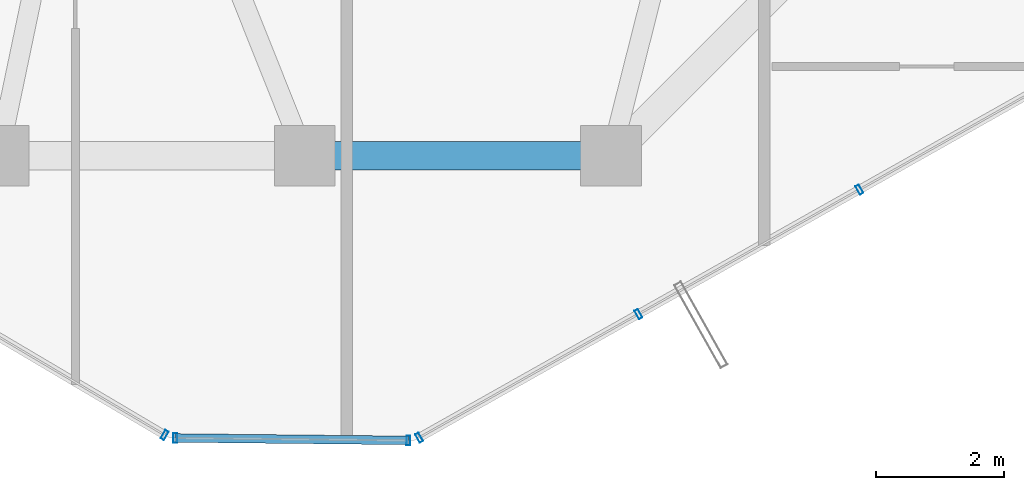
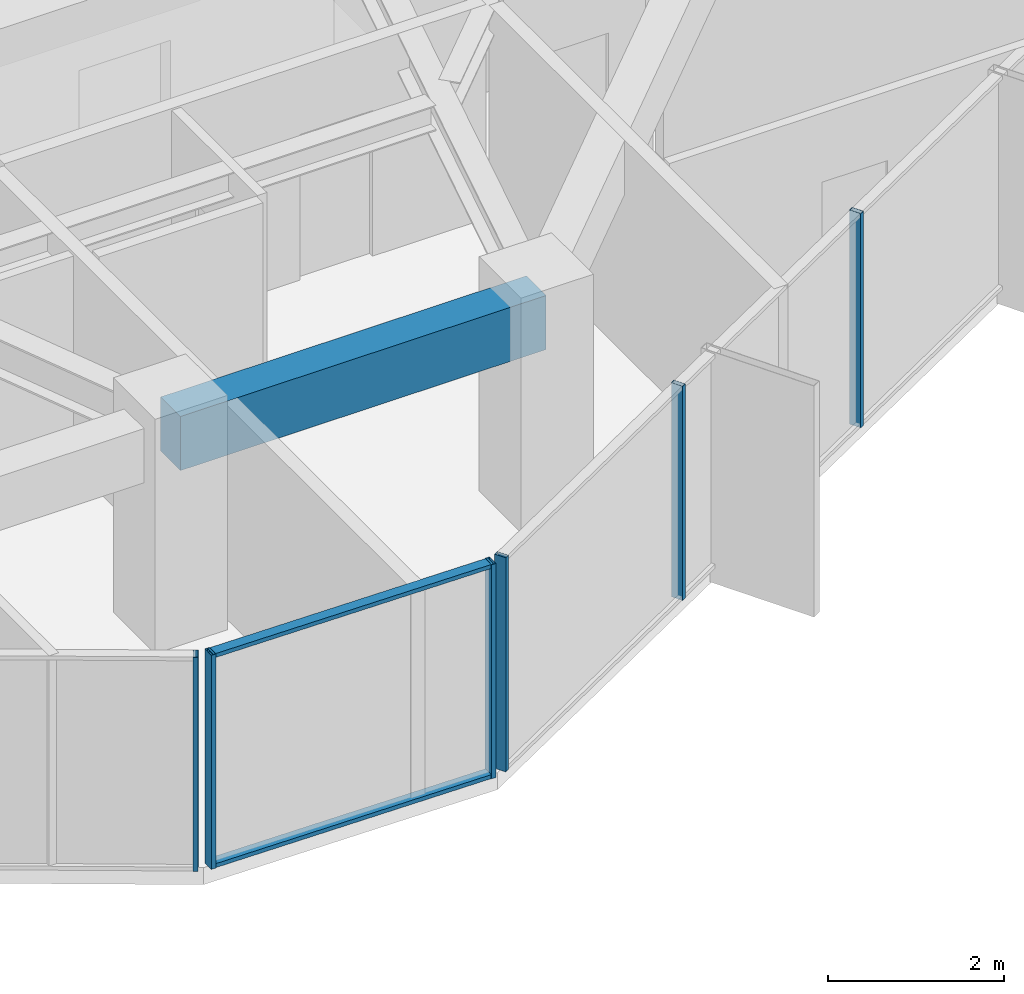
# One storey, part 6 of 30: 8 members, 1 beam, 3 elements without a shape of their own.
"""IFC4 building model written with IfcOpenShell, lengths in metres."""

from ifc_helpers import new_model, si_unit, direction, frame, origin, origin_2d, place, context, subcontext, project, spatial, rectangle, hollow_rectangle, extrude, source, transform, mapped, material, layer, layer_set, material_profile, profile_set, type_object, element, aggregate, save


model = new_model("IFC4")

# Units and contexts
model_context = context("Model", 3, precision=1e-05, world=origin(), true_north=direction((0.0, 1.0)))
body_context = subcontext(model_context, "Body", "Model", "MODEL_VIEW")
ifc_project = project(units=[si_unit("LENGTHUNIT", "METRE"), si_unit("AREAUNIT", "SQUARE_METRE"), si_unit("VOLUMEUNIT", "CUBIC_METRE"), si_unit("PLANEANGLEUNIT", "RADIAN"), si_unit("MASSUNIT", "GRAM", prefix="KILO")], contexts=[model_context])

# Site, building, storey
site_placement = place(None, origin())
site = spatial("IfcSite", under=ifc_project, at=site_placement, CompositionType="ELEMENT")
building_placement = place(site_placement, origin())
building = spatial("IfcBuilding", under=site, at=building_placement, Name="Veraguas Prism Commons", CompositionType="ELEMENT")
storey_placement = place(building_placement, frame((0.0, 0.0, 208.10009765625)))
storey = spatial("IfcBuildingStorey", under=building, at=storey_placement, Name="L59", CompositionType="ELEMENT", Elevation=208.10009765625)

# Beam
ifc_material_1 = material(Name="Concrete C50/60", Category="concrete")
ifc_material_profile_1 = material_profile(ifc_material_1, rectangle(XDim=0.449951171875, YDim=0.75, at=origin_2d()), Name="RC450X750")
ifc_profile_set_1 = profile_set([ifc_material_profile_1], Name="Concrete C50/60")
beam_type = type_object("IfcBeamType", Name="Perimeter Spandrel Upper RC 450x750", PredefinedType="SPANDREL", material=ifc_profile_set_1)
beam_placement = place(storey_placement, frame((24.0, 9.10009765625, 2.594970703125), z_axis=(1.0, 0.0, 0.0), x_axis=(0.0, 1.0, 0.0)))
element("IfcBeam", 1, at=beam_placement, inside=storey, type_object=beam_type, Name="Perimeter Spandrel Beam L59-SP11", PredefinedType="SPANDREL", context=body_context, shape_type="SweptSolid", body=[
    extrude(rectangle(XDim=0.449951171875, YDim=0.75, at=origin_2d()), origin(), (0.0, 0.0, 1.0), 4.800048828125),
])

# Curtain wall, members
ifc_material_2 = material(Name="Anodised aluminium EN AW-6063 T6", Category="aluminium")
ifc_layer = layer(ifc_material_2, 0.14990234375, Name="Unitised Flush Curtain Wall Zone 3", Category="aluminium")
ifc_layer_set = layer_set([ifc_layer], Name="Anodised aluminium EN AW-6063 T6")
curtain_wall_type = type_object("IfcCurtainWallType", Name="Unitised Flush Curtain Wall Zone 3", PredefinedType="NOTDEFINED", material=ifc_layer_set)
curtain_wall_1_placement = place(storey_placement, origin())
curtain_wall_1 = element("IfcCurtainWall", 2, at=curtain_wall_1_placement, inside=storey, type_object=curtain_wall_type, Name="Chamfer Curtain Wall L59-C5", PredefinedType="NOTDEFINED")
ifc_material_profile_2 = material_profile(ifc_material_2, hollow_rectangle(XDim=0.054931640625, YDim=0.135009765625, WallThickness=0.0029296875, at=origin_2d()), Name="AL55X135X3")
ifc_profile_set_2 = profile_set([ifc_material_profile_2], Name="Anodised aluminium EN AW-6063 T6")
member_type_1 = type_object("IfcMemberType", Name="Curtain Wall Transom Standard AL 55x135x3", PredefinedType="USERDEFINED", material=ifc_profile_set_2)
shared_shape_1 = source(origin(), body_context, "Body", "SweptSolid", [
    extrude(hollow_rectangle(XDim=0.054931640625, YDim=0.135009765625, WallThickness=0.0029296875, at=origin_2d()), origin(), (0.0, 0.0, 1.0), 3.654296875),
])
member_1_placement = place(storey_placement, frame((21.970458984375, 4.677001953125, 0.02734375), z_axis=(0.999945685686, -0.010422364333, 0.0), x_axis=(0.0, 0.0, 1.0)))
member_1 = element("IfcMember", 3, at=member_1_placement, type_object=member_type_1, Name="CW-Z3 Transom 1", ObjectType="TRANSOM", PredefinedType="USERDEFINED", context=body_context, shape_type="MappedRepresentation", body=[
    mapped(shared_shape_1, transform((0.0, 0.0, 0.0), scale=1.0)),
])
member_2_placement = place(storey_placement, frame((21.970458984375, 4.677001953125, 2.9423828125), z_axis=(0.999945685686, -0.010422364333, 0.0), x_axis=(0.0, 0.0, 1.0)))
member_2 = element("IfcMember", 4, at=member_2_placement, type_object=member_type_1, Name="CW-Z3 Transom 2", ObjectType="TRANSOM", PredefinedType="USERDEFINED", context=body_context, shape_type="MappedRepresentation", body=[
    mapped(shared_shape_1, transform((0.0, 0.0, 0.0), scale=1.0)),
])

# Curtain wall, member
curtain_wall_2_placement = place(storey_placement, origin())
curtain_wall_2 = element("IfcCurtainWall", 5, at=curtain_wall_2_placement, inside=storey, type_object=curtain_wall_type, Name="Tower Facade Curtain Wall L59-F4", PredefinedType="NOTDEFINED")
ifc_material_profile_3 = material_profile(ifc_material_2, hollow_rectangle(XDim=0.06005859375, YDim=0.14990234375, WallThickness=0.0029296875, at=origin_2d()), Name="AL60X150X3")
ifc_profile_set_3 = profile_set([ifc_material_profile_3], Name="Anodised aluminium EN AW-6063 T6")
member_type_2 = type_object("IfcMemberType", Name="Curtain Wall Mullion Upper AL 60x150x3", PredefinedType="MULLION", material=ifc_profile_set_3)
shared_shape_2 = source(origin(), body_context, "Body", "SweptSolid", [
    extrude(hollow_rectangle(XDim=0.06005859375, YDim=0.14990234375, WallThickness=0.0029296875, at=origin_2d()), origin(), (0.0, 0.0, 1.0), 2.969970703125),
])
member_3_placement = place(storey_placement, frame((21.802978515625, 4.723876953125, 0.0), z_axis=(0.0, 0.0, 1.0), x_axis=(0.860741138558, -0.509042918028, 0.0)))
member_3 = element("IfcMember", 6, at=member_3_placement, type_object=member_type_2, Name="CW-Z3 Mullion 5", PredefinedType="MULLION", context=body_context, shape_type="MappedRepresentation", body=[
    mapped(shared_shape_2, transform((0.0, 0.0, 0.0), scale=1.0)),
])
aggregate(curtain_wall_2, [member_3])

# Curtain wall, members
curtain_wall_3_placement = place(storey_placement, origin())
curtain_wall_3 = element("IfcCurtainWall", 7, at=curtain_wall_3_placement, inside=storey, type_object=curtain_wall_type, Name="Tower Facade Curtain Wall L59-F5", PredefinedType="NOTDEFINED")
member_4_placement = place(storey_placement, frame((25.79296875, 4.68212890625, 0.0), z_axis=(0.0, 0.0, 1.0), x_axis=(0.871215524692, 0.490900712502, 0.0)))
member_4 = element("IfcMember", 8, at=member_4_placement, type_object=member_type_2, Name="CW-Z3 Mullion 1", PredefinedType="MULLION", context=body_context, shape_type="MappedRepresentation", body=[
    mapped(shared_shape_2, transform((0.0, 0.0, 0.0), scale=1.0)),
])
member_5_placement = place(storey_placement, frame((29.23046875, 6.619140625, 0.0), z_axis=(0.0, 0.0, 1.0), x_axis=(0.871215524692, 0.490900712502, 0.0)))
member_5 = element("IfcMember", 9, at=member_5_placement, type_object=member_type_2, Name="CW-Z3 Mullion 2", PredefinedType="MULLION", context=body_context, shape_type="MappedRepresentation", body=[
    mapped(shared_shape_2, transform((0.0, 0.0, 0.0), scale=1.0)),
])
member_6_placement = place(storey_placement, frame((32.694091796875, 8.570556640625, 0.0), z_axis=(0.0, 0.0, 1.0), x_axis=(0.871215524692, 0.490900712502, 0.0)))
member_6 = element("IfcMember", 10, at=member_6_placement, type_object=member_type_2, Name="CW-Z3 Mullion 3", PredefinedType="MULLION", context=body_context, shape_type="MappedRepresentation", body=[
    mapped(shared_shape_2, transform((0.0, 0.0, 0.0), scale=1.0)),
])
aggregate(curtain_wall_3, [member_4, member_5, member_6])

# Member
member_7_placement = place(storey_placement, frame((21.970458984375, 4.677001953125, 0.0), z_axis=(0.0, 0.0, 1.0), x_axis=(0.999945151087, -0.01047352935, 0.0)))
member_7 = element("IfcMember", 11, at=member_7_placement, type_object=member_type_2, Name="CW-Z3 Mullion 1", PredefinedType="MULLION", context=body_context, shape_type="MappedRepresentation", body=[
    mapped(shared_shape_2, transform((0.0, 0.0, 0.0), scale=1.0)),
])

member_8_placement = place(storey_placement, frame((25.62451171875, 4.638916015625, 0.0), z_axis=(0.0, 0.0, 1.0), x_axis=(0.999945151087, -0.01047352935, 0.0)))
member_8 = element("IfcMember", 12, at=member_8_placement, type_object=member_type_2, Name="CW-Z3 Mullion 2", PredefinedType="MULLION", context=body_context, shape_type="MappedRepresentation", body=[
    mapped(shared_shape_2, transform((0.0, 0.0, 0.0), scale=1.0)),
])

aggregate(curtain_wall_1, [member_7, member_8, member_1, member_2])

save(model, "model.ifc")
